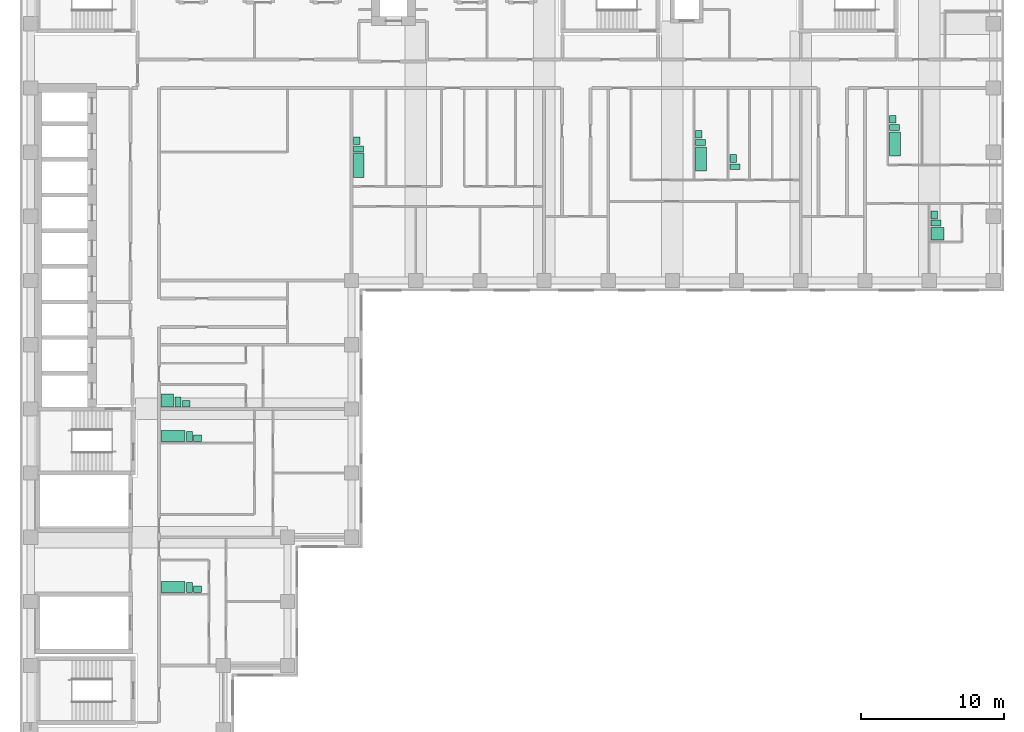
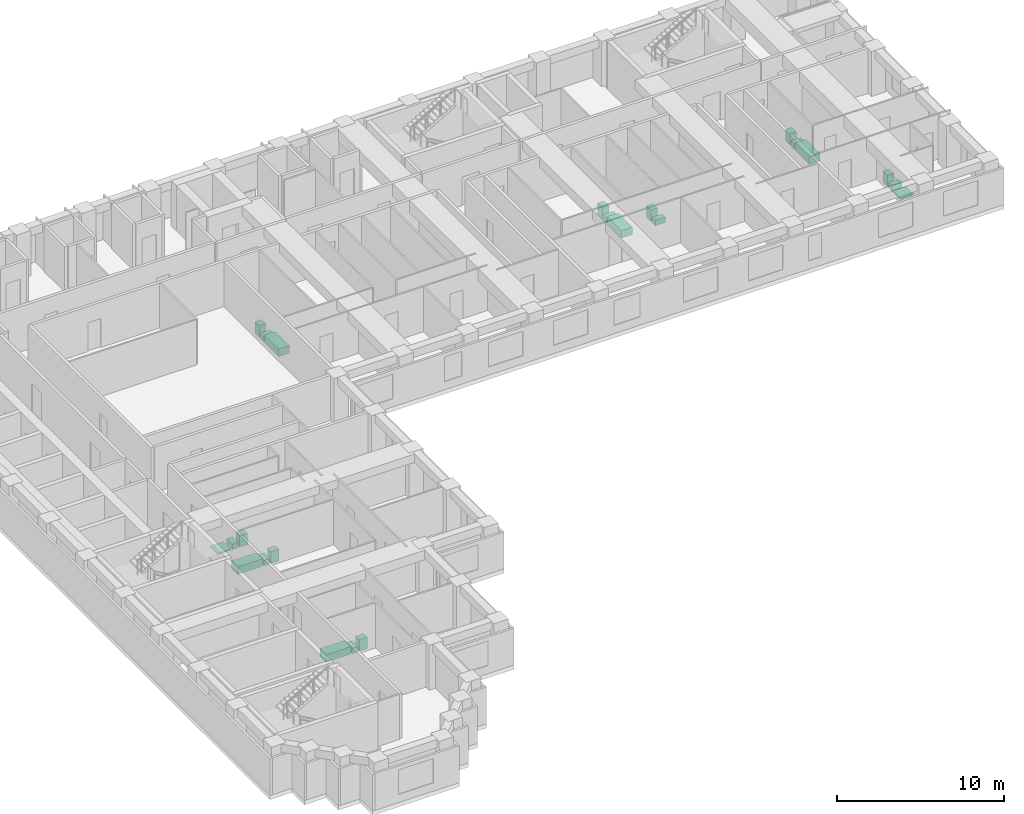
# One storey, part 11 of 11: 23 sanitary terminals.
"""IFC4 building model written with IfcOpenShell, lengths in metres."""

from ifc_helpers import new_model, si_unit, direction, frame, origin, origin_2d, place, context, subcontext, project, spatial, rectangle, extrude, material, type_object, element, save


model = new_model("IFC4")

# Units and contexts
model_context = context("Model", 3, precision=1e-05, world=origin(), true_north=direction((0.0, 1.0)))
body_context = subcontext(model_context, "Body", "Model", "MODEL_VIEW")
ifc_project = project(units=[si_unit("LENGTHUNIT", "METRE"), si_unit("AREAUNIT", "SQUARE_METRE"), si_unit("VOLUMEUNIT", "CUBIC_METRE"), si_unit("PLANEANGLEUNIT", "RADIAN"), si_unit("MASSUNIT", "GRAM", prefix="KILO")], contexts=[model_context])

# Site, building, storey
site_placement = place(None, origin())
site = spatial("IfcSite", under=ifc_project, at=site_placement, CompositionType="ELEMENT")
building_placement = place(site_placement, origin())
building = spatial("IfcBuilding", under=site, at=building_placement, Name="Firuza Court", CompositionType="ELEMENT")
storey_placement = place(building_placement, frame((0.0, 0.0, 130.39990234375)))
storey = spatial("IfcBuildingStorey", under=building, at=storey_placement, Name="L32", CompositionType="ELEMENT", Elevation=130.39990234375)

# Sanitary terminals
ifc_material_1 = material(Name="Vitreous china", Category="ceramic")
sanitary_terminal_type_1 = type_object("IfcSanitaryTerminalType", Name="Fixture Bath", PredefinedType="BATH", material=ifc_material_1)
for number, where, z_axis, x_axis, name in (
    (1, (23.0048828125, 44.080078125, 0.0), (0.0, 0.0, 1.0), (1.0, 0.0, 0.0), "Bath"),
    (2, (47.0048828125, 44.530029296875, 0.0), (0.0, 0.0, 1.0), (1.0, 0.0, 0.0), "Bath"),
    (3, (60.60498046875, 45.580078125, 0.0), (0.0, 0.0, 1.0), (1.0, 0.0, 0.0), "Bath"),
):
    element("IfcSanitaryTerminal", number, at=place(storey_placement, frame(where, z_axis=z_axis, x_axis=x_axis)), inside=storey, type_object=sanitary_terminal_type_1, Name=name, PredefinedType="BATH", context=body_context, shape_type="SweptSolid", body=[
        extrude(rectangle(XDim=0.75, YDim=1.699951171875, at=origin_2d()), origin(), (0.0, 0.0, 1.0), 0.550048828125),
    ])
for number, where, z_axis, x_axis, name in (
    (4, (9.97998046875, 25.10498046875, 0.0), (0.0, 0.0, 1.0), (1.0, 0.0, 0.0), "Bath"),
    (5, (9.97998046875, 14.5048828125, 0.0), (0.0, 0.0, 1.0), (1.0, 0.0, 0.0), "Bath"),
):
    element("IfcSanitaryTerminal", number, at=place(storey_placement, frame(where, z_axis=z_axis, x_axis=x_axis)), inside=storey, type_object=sanitary_terminal_type_1, Name=name, PredefinedType="BATH", context=body_context, shape_type="SweptSolid", body=[
        extrude(rectangle(XDim=1.699951171875, YDim=0.75, at=origin_2d()), origin(), (0.0, 0.0, 1.0), 0.550048828125),
    ])
ifc_material_2 = material(Name="Vitreous china", Category="ceramic")
sanitary_terminal_type_2 = type_object("IfcSanitaryTerminalType", Name="Fixture Shower tray", PredefinedType="SHOWER", material=ifc_material_2)
for number, where, z_axis, x_axis, name in (
    (6, (63.580078125, 39.280029296875, 0.0), (0.0, 0.0, 1.0), (1.0, 0.0, 0.0), "Shower tray"),
    (7, (9.580078125, 27.580078125, 0.0), (0.0, 0.0, 1.0), (1.0, 0.0, 0.0), "Shower tray"),
):
    element("IfcSanitaryTerminal", number, at=place(storey_placement, frame(where, z_axis=z_axis, x_axis=x_axis)), inside=storey, type_object=sanitary_terminal_type_2, Name=name, PredefinedType="SHOWER", context=body_context, shape_type="SweptSolid", body=[
        extrude(rectangle(XDim=0.89990234375, YDim=0.89990234375, at=origin_2d()), origin(), (0.0, 0.0, 1.0), 0.10009765625),
    ])
ifc_material_3 = material(Name="Vitreous china", Category="ceramic")
sanitary_terminal_type_3 = type_object("IfcSanitaryTerminalType", Name="Fixture WC pan", PredefinedType="TOILETPAN", material=ifc_material_3)
for number, where, z_axis, x_axis, name in (
    (8, (22.97998046875, 45.22998046875, 0.000244140625), (0.0, 0.0, 1.0), (1.0, 0.0, 0.0), "WC pan"),
    (9, (46.97998046875, 45.679931640625, 0.000244140625), (0.0, 0.0, 1.0), (1.0, 0.0, 0.0), "WC pan"),
    (10, (49.3798828125, 43.97998046875, 0.000244140625), (0.0, 0.0, 1.0), (1.0, 0.0, 0.0), "WC pan"),
    (11, (60.580078125, 46.72998046875, 0.000244140625), (0.0, 0.0, 1.0), (1.0, 0.0, 0.0), "WC pan"),
    (12, (63.47998046875, 40.030029296875, 0.000244140625), (0.0, 0.0, 1.0), (1.0, 0.0, 0.0), "WC pan"),
):
    element("IfcSanitaryTerminal", number, at=place(storey_placement, frame(where, z_axis=z_axis, x_axis=x_axis)), inside=storey, type_object=sanitary_terminal_type_3, Name=name, PredefinedType="TOILETPAN", context=body_context, shape_type="SweptSolid", body=[
        extrude(rectangle(XDim=0.699951171875, YDim=0.39990234375, at=origin_2d()), origin(), (0.0, 0.0, 1.0), 0.39990234375),
    ])
for number, where, z_axis, x_axis, name in (
    (13, (10.330078125, 27.47998046875, 0.000244140625), (0.0, 0.0, 1.0), (1.0, 0.0, 0.0), "WC pan"),
    (14, (11.1298828125, 25.080078125, 0.000244140625), (0.0, 0.0, 1.0), (1.0, 0.0, 0.0), "WC pan"),
    (15, (11.1298828125, 14.47998046875, 0.000244140625), (0.0, 0.0, 1.0), (1.0, 0.0, 0.0), "WC pan"),
):
    element("IfcSanitaryTerminal", number, at=place(storey_placement, frame(where, z_axis=z_axis, x_axis=x_axis)), inside=storey, type_object=sanitary_terminal_type_3, Name=name, PredefinedType="TOILETPAN", context=body_context, shape_type="SweptSolid", body=[
        extrude(rectangle(XDim=0.39990234375, YDim=0.699951171875, at=origin_2d()), origin(), (0.0, 0.0, 1.0), 0.39990234375),
    ])
ifc_material_4 = material(Name="Vitreous china", Category="ceramic")
sanitary_terminal_type_4 = type_object("IfcSanitaryTerminalType", Name="Fixture Washbasin", PredefinedType="WASHHANDBASIN", material=ifc_material_4)
for number, where, z_axis, x_axis, name in (
    (16, (22.85498046875, 45.804931640625, 0.0), (0.0, 0.0, 1.0), (1.0, 0.0, 0.0), "Washbasin"),
    (17, (46.85498046875, 46.2548828125, 0.0), (0.0, 0.0, 1.0), (1.0, 0.0, 0.0), "Washbasin"),
    (18, (49.2548828125, 44.554931640625, 0.0), (0.0, 0.0, 1.0), (1.0, 0.0, 0.0), "Washbasin"),
    (19, (60.455078125, 47.304931640625, 0.0), (0.0, 0.0, 1.0), (1.0, 0.0, 0.0), "Washbasin"),
    (20, (63.35498046875, 40.60498046875, 0.0), (0.0, 0.0, 1.0), (1.0, 0.0, 0.0), "Washbasin"),
):
    element("IfcSanitaryTerminal", number, at=place(storey_placement, frame(where, z_axis=z_axis, x_axis=x_axis)), inside=storey, type_object=sanitary_terminal_type_4, Name=name, PredefinedType="WASHHANDBASIN", context=body_context, shape_type="SweptSolid", body=[
        extrude(rectangle(XDim=0.449951171875, YDim=0.550048828125, at=origin_2d()), origin(), (0.0, 0.0, 1.0), 0.85009765625),
    ])
for number, where, z_axis, x_axis, name in (
    (21, (10.905029296875, 27.35498046875, 0.0), (0.0, 0.0, 1.0), (1.0, 0.0, 0.0), "Washbasin"),
    (22, (11.705078125, 24.955078125, 0.0), (0.0, 0.0, 1.0), (1.0, 0.0, 0.0), "Washbasin"),
    (23, (11.705078125, 14.35498046875, 0.0), (0.0, 0.0, 1.0), (1.0, 0.0, 0.0), "Washbasin"),
):
    element("IfcSanitaryTerminal", number, at=place(storey_placement, frame(where, z_axis=z_axis, x_axis=x_axis)), inside=storey, type_object=sanitary_terminal_type_4, Name=name, PredefinedType="WASHHANDBASIN", context=body_context, shape_type="SweptSolid", body=[
        extrude(rectangle(XDim=0.550048828125, YDim=0.449951171875, at=origin_2d()), origin(), (0.0, 0.0, 1.0), 0.85009765625),
    ])

save(model, "model.ifc")
